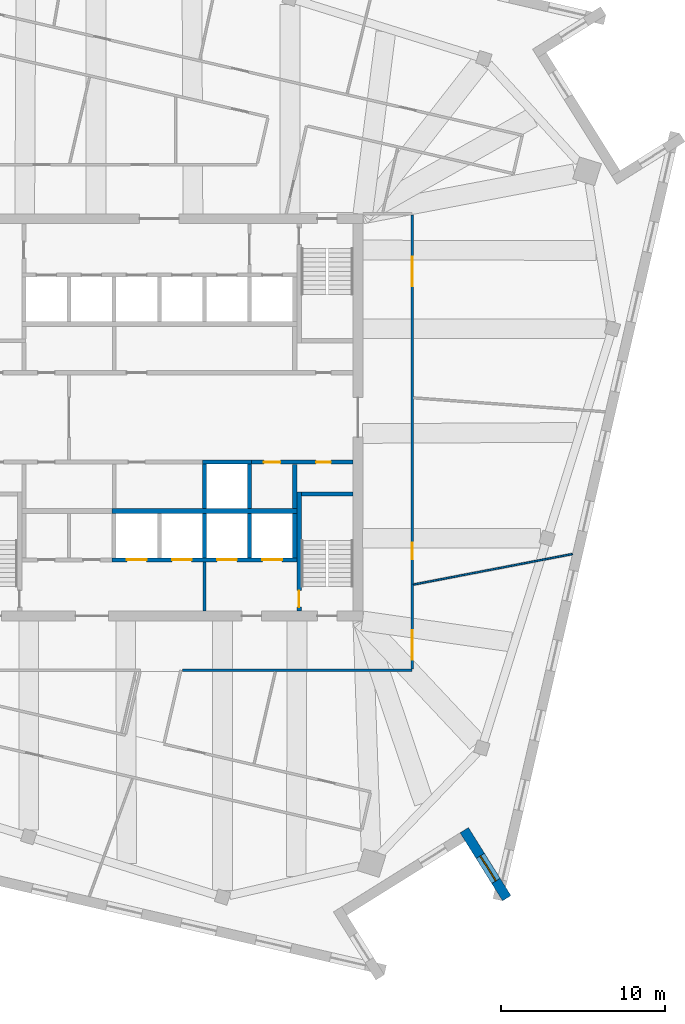
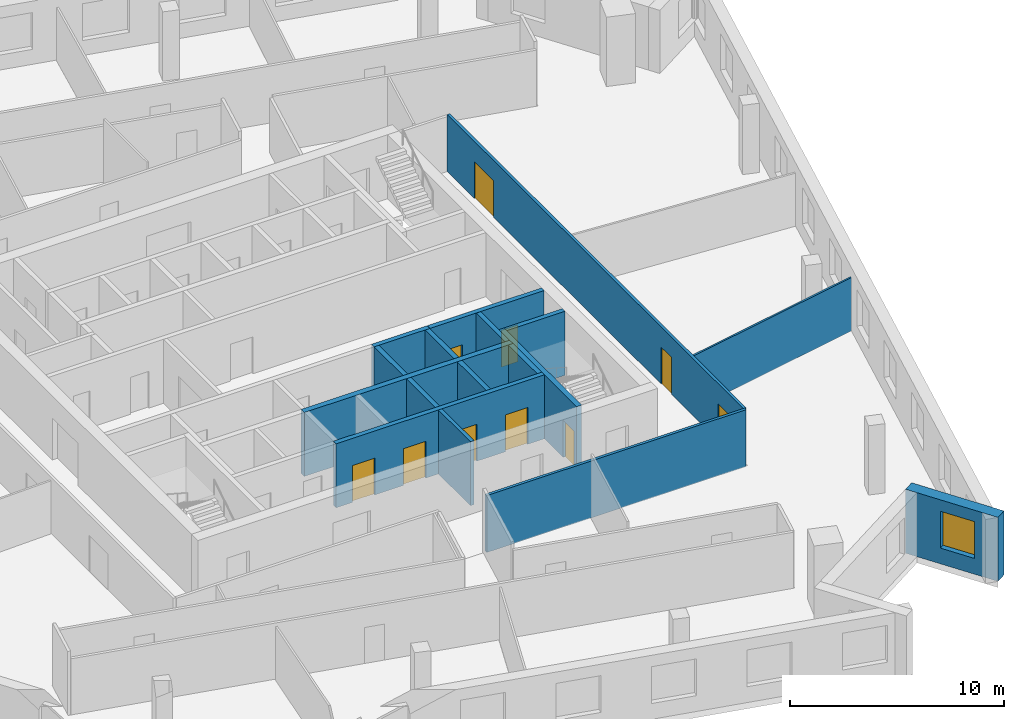
# One storey, part 7 of 14: 17 walls, 10 doors, 1 window, 11 openings.
"""IFC4 building model written with IfcOpenShell, lengths in metres."""

from ifc_helpers import new_model, si_unit, direction, frame, frame_2d, origin, place, context, subcontext, project, spatial, rectangle, extrude, material, layer, layer_set, type_object, element, fill, save


model = new_model("IFC4")

# Units and contexts
model_context = context("Model", 3, precision=1e-05, world=origin(), true_north=direction((0.0, 1.0)))
body_context = subcontext(model_context, "Body", "Model", "MODEL_VIEW")
ifc_project = project(units=[si_unit("LENGTHUNIT", "METRE"), si_unit("AREAUNIT", "SQUARE_METRE"), si_unit("VOLUMEUNIT", "CUBIC_METRE"), si_unit("PLANEANGLEUNIT", "RADIAN"), si_unit("MASSUNIT", "GRAM", prefix="KILO")], contexts=[model_context])

# Site, building, storey
site_placement = place(None, origin())
site = spatial("IfcSite", under=ifc_project, at=site_placement, CompositionType="ELEMENT")
building_placement = place(site_placement, origin())
building = spatial("IfcBuilding", under=site, at=building_placement, Name="Dilmun Exchange Tower", CompositionType="ELEMENT")
storey_placement = place(building_placement, frame((0.0, 0.0, 336.5)))
storey = spatial("IfcBuildingStorey", under=building, at=storey_placement, Name="L80", CompositionType="ELEMENT", Elevation=336.5)

# Walls
ifc_material_1 = material(Name="Concrete C40/50", Category="concrete")
ifc_layer_1 = layer(ifc_material_1, 0.199951171875)
ifc_layer_set_1 = layer_set([ifc_layer_1], Name="Concrete C40/50")
wall_type_1 = type_object("IfcWallType", Name="Core partition wall 200", PredefinedType="PARTITIONING", material=ifc_layer_set_1)
wall_1_placement = place(storey_placement, frame((2.75, -11.794921875, 0.0), z_axis=(0.0, 0.0, 1.0), x_axis=(0.0, 1.0, 0.0)))
element("IfcWall", 1, at=wall_1_placement, inside=storey, type_object=wall_type_1, Name="L80 core partition wall 01", PredefinedType="PARTITIONING", context=body_context, shape_type="SweptSolid", body=[
    extrude(rectangle(XDim=2.989990234375, YDim=0.199951171875, at=frame_2d((1.4951171875, 0.0))), origin(), (0.0, 0.0, 1.0), 3.64990234375),
])
ifc_layer_2 = layer(ifc_material_1, 0.25)
ifc_layer_set_2 = layer_set([ifc_layer_2], Name="Concrete C40/50")
wall_type_2 = type_object("IfcWallType", Name="Core partition wall 250", PredefinedType="PARTITIONING", material=ifc_layer_set_2)
wall_2_placement = place(storey_placement, frame((8.25, -5.544921875, 0.0), z_axis=(0.0, 0.0, 1.0), x_axis=(0.0, 1.0, 0.0)))
element("IfcWall", 2, at=wall_2_placement, inside=storey, type_object=wall_type_2, Name="L80 core partition wall 08", PredefinedType="PARTITIONING", context=body_context, shape_type="SweptSolid", body=[
    extrude(rectangle(XDim=2.68994140625, YDim=0.25, at=frame_2d((1.344970703125, 0.0))), origin(), (0.0, 0.0, 1.0), 3.64990234375),
])

# Wall, openings, doors
wall_3_placement = place(storey_placement, frame((5.6298828125, -2.72509765625, 0.0), z_axis=(0.0, 0.0, 1.0), x_axis=(1.0, 0.0, 0.0)))
wall_3 = element("IfcWall", 3, at=wall_3_placement, inside=storey, type_object=wall_type_2, Name="L80 core partition wall 10", PredefinedType="PARTITIONING", context=body_context, shape_type="SweptSolid", body=[
    extrude(rectangle(XDim=6.1650390625, YDim=0.25, at=frame_2d((3.08251953125, 0.0))), origin(), (0.0, 0.0, 1.0), 3.64990234375),
])
opening_1_placement = place(wall_3_placement, frame((0.7451171875, 0.0, 0.0)))
opening_1 = element("IfcOpeningElement", 4, at=opening_1_placement, cuts=wall_3, Name="Opening CD4", PredefinedType="OPENING", context=body_context, shape_type="SweptSolid", body=[
    extrude(rectangle(XDim=1.0, YDim=2.10009765625, at=frame_2d((0.5, 1.050048828125))), frame((0.0, 0.135009765625, 0.0), z_axis=(0.0, -1.0, 0.0), x_axis=(1.0, 0.0, 0.0)), (0.0, 0.0, 1.0), 0.27001953125),
])
opening_2_placement = place(wall_3_placement, frame((3.919921875, 0.0, 0.0)))
opening_2 = element("IfcOpeningElement", 5, at=opening_2_placement, cuts=wall_3, Name="Opening CD6", PredefinedType="OPENING", context=body_context, shape_type="SweptSolid", body=[
    extrude(rectangle(XDim=0.89990234375, YDim=2.10009765625, at=frame_2d((0.449951171875, 1.050048828125))), frame((0.0, 0.135009765625, 0.0), z_axis=(0.0, -1.0, 0.0), x_axis=(1.0, 0.0, 0.0)), (0.0, 0.0, 1.0), 0.27001953125),
])
ifc_material_2 = material(Name="Fire-rated steel door set", Category="steel")
door_type_1 = type_object("IfcDoorType", Name="Core room door 1000x2100", OperationType="SINGLE_SWING_LEFT", PredefinedType="DOOR", material=ifc_material_2)
door_1_placement = place(opening_1_placement, origin())
door_1 = element("IfcDoor", 6, at=door_1_placement, inside=storey, type_object=door_type_1, Name="L80 door Cleaners' store", OperationType="SINGLE_SWING_LEFT", OverallHeight=2.10009765625, OverallWidth=1.0, PredefinedType="DOOR", context=body_context, shape_type="SweptSolid", body=[
    extrude(rectangle(XDim=1.0, YDim=2.10009765625, at=frame_2d((0.5, 1.050048828125))), frame((0.0, 0.02490234375, 0.0), z_axis=(0.0, -1.0, 0.0), x_axis=(1.0, 0.0, 0.0)), (0.0, 0.0, 1.0), 0.050048828125),
])
fill(opening_1, door_1)
door_type_2 = type_object("IfcDoorType", Name="Core room door 900x2100", OperationType="SINGLE_SWING_LEFT", PredefinedType="DOOR", material=ifc_material_2)
door_2_placement = place(opening_2_placement, origin())
door_2 = element("IfcDoor", 7, at=door_2_placement, inside=storey, type_object=door_type_2, Name="L80 door Comms riser", OperationType="SINGLE_SWING_LEFT", OverallHeight=2.10009765625, OverallWidth=0.89990234375, PredefinedType="DOOR", context=body_context, shape_type="SweptSolid", body=[
    extrude(rectangle(XDim=0.89990234375, YDim=2.10009765625, at=frame_2d((0.449951171875, 1.050048828125))), frame((0.0, 0.02490234375, 0.0), z_axis=(0.0, -1.0, 0.0), x_axis=(1.0, 0.0, 0.0)), (0.0, 0.0, 1.0), 0.050048828125),
])
fill(opening_2, door_2)

# Wall
ifc_material_3 = material(Name="Corridor wall 150")
ifc_layer_3 = layer(ifc_material_3, 0.14990234375)
ifc_layer_set_3 = layer_set([ifc_layer_3], Name="Corridor wall 150")
wall_type_3 = type_object("IfcWallType", Name="Corridor wall 150", PredefinedType="PARTITIONING", material=ifc_layer_set_3)
wall_4_placement = place(storey_placement, frame((1.40625, -15.39990234375, 0.0), z_axis=(0.0, 0.0, 1.0), x_axis=(1.0, 0.0, 0.0)))
element("IfcWall", 8, at=wall_4_placement, inside=storey, type_object=wall_type_3, Name="Corridor wall", PredefinedType="PARTITIONING", context=body_context, shape_type="SweptSolid", body=[
    extrude(rectangle(XDim=13.99365234375, YDim=0.14990234375, at=frame_2d((6.996826171875, 0.0))), origin(), (0.0, 0.0, 1.0), 3.25),
])

# Wall, openings, doors
wall_5_placement = place(storey_placement, frame((15.39990234375, -15.324951171875, 0.0), z_axis=(0.0, 0.0, 1.0), x_axis=(0.0, 1.0, 0.0)))
wall_5 = element("IfcWall", 9, at=wall_5_placement, inside=storey, type_object=wall_type_3, Name="Corridor wall", PredefinedType="PARTITIONING", context=body_context, shape_type="SweptSolid", body=[
    extrude(rectangle(XDim=27.64990234375, YDim=0.14990234375, at=frame_2d((13.824951171875, 0.0))), origin(), (0.0, 0.0, 1.0), 3.25),
])
opening_3_placement = place(wall_5_placement, frame((0.550048828125, 0.0, 0.0)))
opening_3 = element("IfcOpeningElement", 10, at=opening_3_placement, cuts=wall_5, Name="Opening TF79-D15", PredefinedType="OPENING", context=body_context, shape_type="SweptSolid", body=[
    extrude(rectangle(XDim=1.800048828125, YDim=2.10009765625, at=frame_2d((0.89990234375, 1.050048828125))), frame((0.0, 0.0849609375, 0.0), z_axis=(0.0, -1.0, 0.0), x_axis=(1.0, 0.0, 0.0)), (0.0, 0.0, 1.0), 0.169921875),
])
opening_4_placement = place(wall_5_placement, frame((6.677734375, 0.0, 0.0)))
opening_4 = element("IfcOpeningElement", 11, at=opening_4_placement, cuts=wall_5, Name="Opening TF79-D17", PredefinedType="OPENING", context=body_context, shape_type="SweptSolid", body=[
    extrude(rectangle(XDim=1.0, YDim=2.10009765625, at=frame_2d((0.5, 1.050048828125))), frame((0.0, 0.0849609375, 0.0), z_axis=(0.0, -1.0, 0.0), x_axis=(1.0, 0.0, 0.0)), (0.0, 0.0, 1.0), 0.169921875),
])
opening_5_placement = place(wall_5_placement, frame((23.322021484375, 0.0, 0.0)))
opening_5 = element("IfcOpeningElement", 12, at=opening_5_placement, cuts=wall_5, Name="Opening TF79-D18", PredefinedType="OPENING", context=body_context, shape_type="SweptSolid", body=[
    extrude(rectangle(XDim=1.800048828125, YDim=2.10009765625, at=frame_2d((0.89990234375, 1.050048828125))), frame((0.0, 0.0849609375, 0.0), z_axis=(0.0, -1.0, 0.0), x_axis=(1.0, 0.0, 0.0)), (0.0, 0.0, 1.0), 0.169921875),
])
ifc_material_4 = material(Name="Fire door 1000 x 2100")
door_type_3 = type_object("IfcDoorType", Name="Fire door 1000 x 2100", OperationType="NOTDEFINED", PredefinedType="DOOR", material=ifc_material_4)
door_3_placement = place(opening_4_placement, frame((1.0, 0.0, 0.0), z_axis=(0.0, 0.0, 1.0), x_axis=(-1.0, 0.0, 0.0)))
door_3 = element("IfcDoor", 13, at=door_3_placement, inside=storey, type_object=door_type_3, Name="Door TF79-D17", OperationType="SINGLE_SWING_LEFT", OverallHeight=2.10009765625, OverallWidth=1.0, PredefinedType="DOOR", context=body_context, shape_type="SweptSolid", body=[
    extrude(rectangle(XDim=1.0, YDim=2.10009765625, at=frame_2d((0.5, 1.050048828125))), frame((0.0, 0.02490234375, 0.0), z_axis=(0.0, -1.0, 0.0), x_axis=(1.0, 0.0, 0.0)), (0.0, 0.0, 1.0), 0.050048828125),
])
fill(opening_4, door_3)
ifc_material_5 = material(Name="Fire door pair 1800 x 2100")
door_type_4 = type_object("IfcDoorType", Name="Fire door pair 1800 x 2100", OperationType="NOTDEFINED", PredefinedType="DOOR", material=ifc_material_5)
door_4_placement = place(opening_3_placement, frame((1.800048828125, 0.0, 0.0), z_axis=(0.0, 0.0, 1.0), x_axis=(-1.0, 0.0, 0.0)))
door_4 = element("IfcDoor", 14, at=door_4_placement, inside=storey, type_object=door_type_4, Name="Door TF79-D15", OperationType="DOUBLE_DOOR_SINGLE_SWING", OverallHeight=2.10009765625, OverallWidth=1.800048828125, PredefinedType="DOOR", context=body_context, shape_type="SweptSolid", body=[
    extrude(rectangle(XDim=1.800048828125, YDim=2.10009765625, at=frame_2d((0.89990234375, 1.050048828125))), frame((0.0, 0.02490234375, 0.0), z_axis=(0.0, -1.0, 0.0), x_axis=(1.0, 0.0, 0.0)), (0.0, 0.0, 1.0), 0.050048828125),
])
fill(opening_3, door_4)
door_5_placement = place(opening_5_placement, frame((1.800048828125, 0.0, 0.0), z_axis=(0.0, 0.0, 1.0), x_axis=(-1.0, 0.0, 0.0)))
door_5 = element("IfcDoor", 15, at=door_5_placement, inside=storey, type_object=door_type_4, Name="Door TF79-D18", OperationType="DOUBLE_DOOR_SINGLE_SWING", OverallHeight=2.10009765625, OverallWidth=1.800048828125, PredefinedType="DOOR", context=body_context, shape_type="SweptSolid", body=[
    extrude(rectangle(XDim=1.800048828125, YDim=2.10009765625, at=frame_2d((0.89990234375, 1.050048828125))), frame((0.0, 0.02490234375, 0.0), z_axis=(0.0, -1.0, 0.0), x_axis=(1.0, 0.0, 0.0)), (0.0, 0.0, 1.0), 0.050048828125),
])
fill(opening_5, door_5)

# Walls
ifc_layer_4 = layer(ifc_material_1, 0.300048828125)
ifc_layer_set_4 = layer_set([ifc_layer_4], Name="Concrete C40/50")
wall_type_4 = type_object("IfcWallType", Name="Lift shaft shared wall 300", PredefinedType="SOLIDWALL", material=ifc_layer_set_4)
wall_6_placement = place(storey_placement, frame((-2.875, -5.699951171875, 0.0), z_axis=(0.0, 0.0, 1.0), x_axis=(1.0, 0.0, 0.0)))
element("IfcWall", 16, at=wall_6_placement, inside=storey, type_object=wall_type_4, Name="L80 lift shaft rear wall S", PredefinedType="SOLIDWALL", context=body_context, shape_type="SweptSolid", body=[
    extrude(rectangle(XDim=11.25, YDim=0.300048828125, at=frame_2d((5.625, 0.0))), origin(), (0.0, 0.0, 1.0), 3.64990234375),
])
ifc_layer_5 = layer(ifc_material_1, 0.25)
ifc_layer_set_5 = layer_set([ifc_layer_5], Name="Concrete C40/50")
wall_type_5 = type_object("IfcWallType", Name="Lift shaft wall 250", PredefinedType="SOLIDWALL", material=ifc_layer_set_5)
wall_7_placement = place(storey_placement, frame((2.625, -2.72509765625, 0.0), z_axis=(0.0, 0.0, 1.0), x_axis=(1.0, 0.0, 0.0)))
element("IfcWall", 17, at=wall_7_placement, inside=storey, type_object=wall_type_5, Name="L80 lift shaft front wall S1", PredefinedType="SOLIDWALL", context=body_context, shape_type="SweptSolid", body=[
    extrude(rectangle(XDim=3.0, YDim=0.25, at=frame_2d((1.5, 0.0))), origin(), (0.0, 0.0, 1.0), 3.64990234375),
])
for number, where, z_axis, x_axis, name in (
    (18, (2.75, -5.550048828125, 0.0), (0.0, 0.0, 1.0), (0.0, 1.0, 0.0), "L80 lift shaft divider S14"),
    (19, (5.5, -5.550048828125, 0.0), (0.0, 0.0, 1.0), (0.0, 1.0, 0.0), "L80 lift shaft divider S15"),
):
    element("IfcWall", number, at=place(storey_placement, frame(where, z_axis=z_axis, x_axis=x_axis)), inside=storey, type_object=wall_type_5, Name=name, PredefinedType="SOLIDWALL", context=body_context, shape_type="SweptSolid", body=[
        extrude(rectangle(XDim=2.699951171875, YDim=0.25, at=frame_2d((1.35009765625, 0.0))), origin(), (0.0, 0.0, 1.0), 3.64990234375),
    ])

# Wall, openings, doors
wall_8_placement = place(storey_placement, frame((-2.875, -8.675048828125, 0.0), z_axis=(0.0, 0.0, 1.0), x_axis=(1.0, 0.0, 0.0)))
wall_8 = element("IfcWall", 20, at=wall_8_placement, inside=storey, type_object=wall_type_5, Name="L80 lift shaft front wall S2", PredefinedType="SOLIDWALL", context=body_context, shape_type="SweptSolid", body=[
    extrude(rectangle(XDim=11.25, YDim=0.25, at=frame_2d((5.625, 0.0))), origin(), (0.0, 0.0, 1.0), 3.64990234375),
])
opening_6_placement = place(wall_8_placement, frame((0.89990234375, 0.0, 0.0)))
opening_6 = element("IfcOpeningElement", 21, at=opening_6_placement, cuts=wall_8, Name="Opening LD", PredefinedType="OPENING", context=body_context, shape_type="SweptSolid", body=[
    extrude(rectangle(XDim=1.199951171875, YDim=2.10009765625, at=frame_2d((0.60009765625, 1.050048828125))), frame((0.0, 0.135009765625, 0.0), z_axis=(0.0, -1.0, 0.0), x_axis=(1.0, 0.0, 0.0)), (0.0, 0.0, 1.0), 0.27001953125),
])
opening_7_placement = place(wall_8_placement, frame((3.64990234375, 0.0, 0.0)))
opening_7 = element("IfcOpeningElement", 22, at=opening_7_placement, cuts=wall_8, Name="Opening LD", PredefinedType="OPENING", context=body_context, shape_type="SweptSolid", body=[
    extrude(rectangle(XDim=1.199951171875, YDim=2.10009765625, at=frame_2d((0.60009765625, 1.050048828125))), frame((0.0, 0.135009765625, 0.0), z_axis=(0.0, -1.0, 0.0), x_axis=(1.0, 0.0, 0.0)), (0.0, 0.0, 1.0), 0.27001953125),
])
opening_8_placement = place(wall_8_placement, frame((6.39990234375, 0.0, 0.0)))
opening_8 = element("IfcOpeningElement", 23, at=opening_8_placement, cuts=wall_8, Name="Opening LD", PredefinedType="OPENING", context=body_context, shape_type="SweptSolid", body=[
    extrude(rectangle(XDim=1.199951171875, YDim=2.10009765625, at=frame_2d((0.60009765625, 1.050048828125))), frame((0.0, 0.135009765625, 0.0), z_axis=(0.0, -1.0, 0.0), x_axis=(1.0, 0.0, 0.0)), (0.0, 0.0, 1.0), 0.27001953125),
])
opening_9_placement = place(wall_8_placement, frame((9.14990234375, 0.0, 0.0)))
opening_9 = element("IfcOpeningElement", 24, at=opening_9_placement, cuts=wall_8, Name="Opening LD", PredefinedType="OPENING", context=body_context, shape_type="SweptSolid", body=[
    extrude(rectangle(XDim=1.199951171875, YDim=2.10009765625, at=frame_2d((0.60009765625, 1.050048828125))), frame((0.0, 0.135009765625, 0.0), z_axis=(0.0, -1.0, 0.0), x_axis=(1.0, 0.0, 0.0)), (0.0, 0.0, 1.0), 0.27001953125),
])
door_type_5 = type_object("IfcDoorType", Name="Lift landing door 1200x2100", OperationType="DOUBLE_DOOR_SLIDING", PredefinedType="DOOR", material=ifc_material_2)
door_6_placement = place(opening_6_placement, origin())
door_6 = element("IfcDoor", 25, at=door_6_placement, inside=storey, type_object=door_type_5, Name="L80 landing door SV1", OperationType="DOUBLE_DOOR_SLIDING", OverallHeight=2.10009765625, OverallWidth=1.199951171875, PredefinedType="DOOR", context=body_context, shape_type="SweptSolid", body=[
    extrude(rectangle(XDim=1.199951171875, YDim=2.10009765625, at=frame_2d((0.60009765625, 1.050048828125))), frame((0.0, 0.02490234375, 0.0), z_axis=(0.0, -1.0, 0.0), x_axis=(1.0, 0.0, 0.0)), (0.0, 0.0, 1.0), 0.050048828125),
])
fill(opening_6, door_6)
door_7_placement = place(opening_7_placement, origin())
door_7 = element("IfcDoor", 26, at=door_7_placement, inside=storey, type_object=door_type_5, Name="L80 landing door SV2", OperationType="DOUBLE_DOOR_SLIDING", OverallHeight=2.10009765625, OverallWidth=1.199951171875, PredefinedType="DOOR", context=body_context, shape_type="SweptSolid", body=[
    extrude(rectangle(XDim=1.199951171875, YDim=2.10009765625, at=frame_2d((0.60009765625, 1.050048828125))), frame((0.0, 0.02490234375, 0.0), z_axis=(0.0, -1.0, 0.0), x_axis=(1.0, 0.0, 0.0)), (0.0, 0.0, 1.0), 0.050048828125),
])
fill(opening_7, door_7)
door_8_placement = place(opening_8_placement, origin())
door_8 = element("IfcDoor", 27, at=door_8_placement, inside=storey, type_object=door_type_5, Name="L80 landing door FF1", OperationType="DOUBLE_DOOR_SLIDING", OverallHeight=2.10009765625, OverallWidth=1.199951171875, PredefinedType="DOOR", context=body_context, shape_type="SweptSolid", body=[
    extrude(rectangle(XDim=1.199951171875, YDim=2.10009765625, at=frame_2d((0.60009765625, 1.050048828125))), frame((0.0, 0.02490234375, 0.0), z_axis=(0.0, -1.0, 0.0), x_axis=(1.0, 0.0, 0.0)), (0.0, 0.0, 1.0), 0.050048828125),
])
fill(opening_8, door_8)
door_9_placement = place(opening_9_placement, origin())
door_9 = element("IfcDoor", 28, at=door_9_placement, inside=storey, type_object=door_type_5, Name="L80 landing door FF2", OperationType="DOUBLE_DOOR_SLIDING", OverallHeight=2.10009765625, OverallWidth=1.199951171875, PredefinedType="DOOR", context=body_context, shape_type="SweptSolid", body=[
    extrude(rectangle(XDim=1.199951171875, YDim=2.10009765625, at=frame_2d((0.60009765625, 1.050048828125))), frame((0.0, 0.02490234375, 0.0), z_axis=(0.0, -1.0, 0.0), x_axis=(1.0, 0.0, 0.0)), (0.0, 0.0, 1.0), 0.050048828125),
])
fill(opening_9, door_9)

# Walls
for number, where, z_axis, x_axis, name in (
    (29, (2.75, -8.550048828125, 0.0), (0.0, 0.0, 1.0), (0.0, 1.0, 0.0), "L80 lift shaft divider S24"),
    (30, (5.5, -8.550048828125, 0.0), (0.0, 0.0, 1.0), (0.0, 1.0, 0.0), "L80 lift shaft divider S25"),
    (31, (8.25, -8.550048828125, 0.0), (0.0, 0.0, 1.0), (0.0, 1.0, 0.0), "L80 lift shaft divider S26"),
):
    element("IfcWall", number, at=place(storey_placement, frame(where, z_axis=z_axis, x_axis=x_axis)), inside=storey, type_object=wall_type_5, Name=name, PredefinedType="SOLIDWALL", context=body_context, shape_type="SweptSolid", body=[
        extrude(rectangle(XDim=2.699951171875, YDim=0.25, at=frame_2d((1.35009765625, 0.0))), origin(), (0.0, 0.0, 1.0), 3.64990234375),
    ])
ifc_material_6 = material(Name="Partition 100")
ifc_layer_6 = layer(ifc_material_6, 0.10009765625)
ifc_layer_set_6 = layer_set([ifc_layer_6], Name="Partition 100")
wall_type_6 = type_object("IfcWallType", Name="Partition 100", PredefinedType="PARTITIONING", material=ifc_layer_set_6)
wall_9_placement = place(storey_placement, frame((15.484375, -10.180908203125, 0.0), z_axis=(0.0, 0.0, 1.0), x_axis=(0.982063248181, 0.188551787506, 0.0)))
element("IfcWall", 32, at=wall_9_placement, inside=storey, type_object=wall_type_6, Name="Partition", PredefinedType="PARTITIONING", context=body_context, shape_type="SweptSolid", body=[
    extrude(rectangle(XDim=9.864013671875, YDim=0.10009765625, at=frame_2d((4.93212890625, 0.0))), origin(), (0.0, 0.0, 1.0), 3.050048828125),
])

# Wall, opening, window
ifc_material_7 = material(Name="Precast concrete C50/60", Category="concrete")
ifc_layer_7 = layer(ifc_material_7, 0.60009765625)
ifc_layer_set_7 = layer_set([ifc_layer_7], Name="Precast concrete C50/60")
wall_type_7 = type_object("IfcWallType", Name="Precast stone-clad wall 600", PredefinedType="STANDARD", material=ifc_layer_set_7)
wall_10_placement = place(storey_placement, frame((18.576904296875, -25.146240234375, 0.0), z_axis=(0.0, 0.0, 1.0), x_axis=(0.529954020527, -0.848026377024, 0.0)))
wall_10 = element("IfcWall", 33, at=wall_10_placement, inside=storey, type_object=wall_type_7, Name="Facade wall L80-10", PredefinedType="STANDARD", context=body_context, shape_type="SweptSolid", body=[
    extrude(rectangle(XDim=4.885498046875, YDim=0.60009765625, at=frame_2d((2.44287109375, 0.0))), origin(), (0.0, 0.0, 1.0), 3.64990234375),
])
opening_10_placement = place(wall_10_placement, frame((1.8427734375, 0.0, 0.89990234375)))
opening_10 = element("IfcOpeningElement", 34, at=opening_10_placement, cuts=wall_10, Name="Opening W180-210", PredefinedType="OPENING", context=body_context, shape_type="SweptSolid", body=[
    extrude(rectangle(XDim=1.800048828125, YDim=2.10009765625, at=frame_2d((0.89990234375, 1.050048828125))), frame((0.0, 0.31005859375, 0.0), z_axis=(0.0, -1.0, 0.0), x_axis=(1.0, 0.0, 0.0)), (0.0, 0.0, 1.0), 0.6201171875),
])
ifc_material_8 = material(Name="Clear low-emissivity glass in aluminium frame", Category="aluminium")
window_type = type_object("IfcWindowType", Name="Punched window 1800 x 2100", PartitioningType="DOUBLE_PANEL_VERTICAL", PredefinedType="WINDOW", material=ifc_material_8)
window_placement = place(opening_10_placement, origin())
window = element("IfcWindow", 35, at=window_placement, inside=storey, type_object=window_type, Name="Window 11.1", OverallHeight=2.10009765625, OverallWidth=1.800048828125, PartitioningType="SINGLE_PANEL", PredefinedType="WINDOW", context=body_context, shape_type="SweptSolid", body=[
    extrude(rectangle(XDim=1.800048828125, YDim=2.10009765625, at=frame_2d((0.89990234375, 1.050048828125))), frame((0.0, 0.030029296875, 0.0), z_axis=(0.0, -1.0, 0.0), x_axis=(1.0, 0.0, 0.0)), (0.0, 0.0, 1.0), 0.06005859375),
])
fill(opening_10, window)

# Wall
ifc_layer_8 = layer(ifc_material_1, 0.25)
ifc_layer_set_8 = layer_set([ifc_layer_8], Name="Concrete C40/50")
wall_type_8 = type_object("IfcWallType", Name="Stair end wall 250", PredefinedType="SOLIDWALL", material=ifc_layer_set_8)
wall_11_placement = place(storey_placement, frame((8.64990234375, -4.675048828125, 0.0), z_axis=(0.0, 0.0, 1.0), x_axis=(1.0, 0.0, 0.0)))
element("IfcWall", 36, at=wall_11_placement, inside=storey, type_object=wall_type_8, Name="L80 ST3 far wall", PredefinedType="SOLIDWALL", context=body_context, shape_type="SweptSolid", body=[
    extrude(rectangle(XDim=3.150146484375, YDim=0.25, at=frame_2d((1.5751953125, 0.0))), origin(), (0.0, 0.0, 1.0), 3.64990234375),
])

# Wall, opening, door
ifc_layer_9 = layer(ifc_material_1, 0.27490234375)
ifc_layer_set_9 = layer_set([ifc_layer_9], Name="Concrete C40/50")
wall_type_9 = type_object("IfcWallType", Name="Stair wall 275", PredefinedType="SOLIDWALL", material=ifc_layer_set_9)
wall_12_placement = place(storey_placement, frame((8.512451171875, -4.550048828125, 0.0), z_axis=(0.0, 0.0, 1.0), x_axis=(0.0, -1.0, 0.0)))
wall_12 = element("IfcWall", 37, at=wall_12_placement, inside=storey, type_object=wall_type_9, Name="L80 ST3 wall to lift block", PredefinedType="SOLIDWALL", context=body_context, shape_type="SweptSolid", body=[
    extrude(rectangle(XDim=7.25, YDim=0.27490234375, at=frame_2d((3.625, 0.0))), origin(), (0.0, 0.0, 1.0), 3.64990234375),
])
opening_11_placement = place(wall_12_placement, frame((6.0, 0.0, 0.0)))
opening_11 = element("IfcOpeningElement", 38, at=opening_11_placement, cuts=wall_12, Name="Opening CD4", PredefinedType="OPENING", context=body_context, shape_type="SweptSolid", body=[
    extrude(rectangle(XDim=1.0, YDim=2.10009765625, at=frame_2d((0.5, 1.050048828125))), frame((0.0, 0.1474609375, 0.0), z_axis=(0.0, -1.0, 0.0), x_axis=(1.0, 0.0, 0.0)), (0.0, 0.0, 1.0), 0.294921875),
])
door_10_placement = place(opening_11_placement, origin())
door_10 = element("IfcDoor", 39, at=door_10_placement, inside=storey, type_object=door_type_1, Name="L80 door ST3 from lobby", OperationType="SINGLE_SWING_LEFT", OverallHeight=2.10009765625, OverallWidth=1.0, PredefinedType="DOOR", context=body_context, shape_type="SweptSolid", body=[
    extrude(rectangle(XDim=1.0, YDim=2.10009765625, at=frame_2d((0.5, 1.050048828125))), frame((0.0, 0.02490234375, 0.0), z_axis=(0.0, -1.0, 0.0), x_axis=(1.0, 0.0, 0.0)), (0.0, 0.0, 1.0), 0.050048828125),
])
fill(opening_11, door_10)

save(model, "model.ifc")
